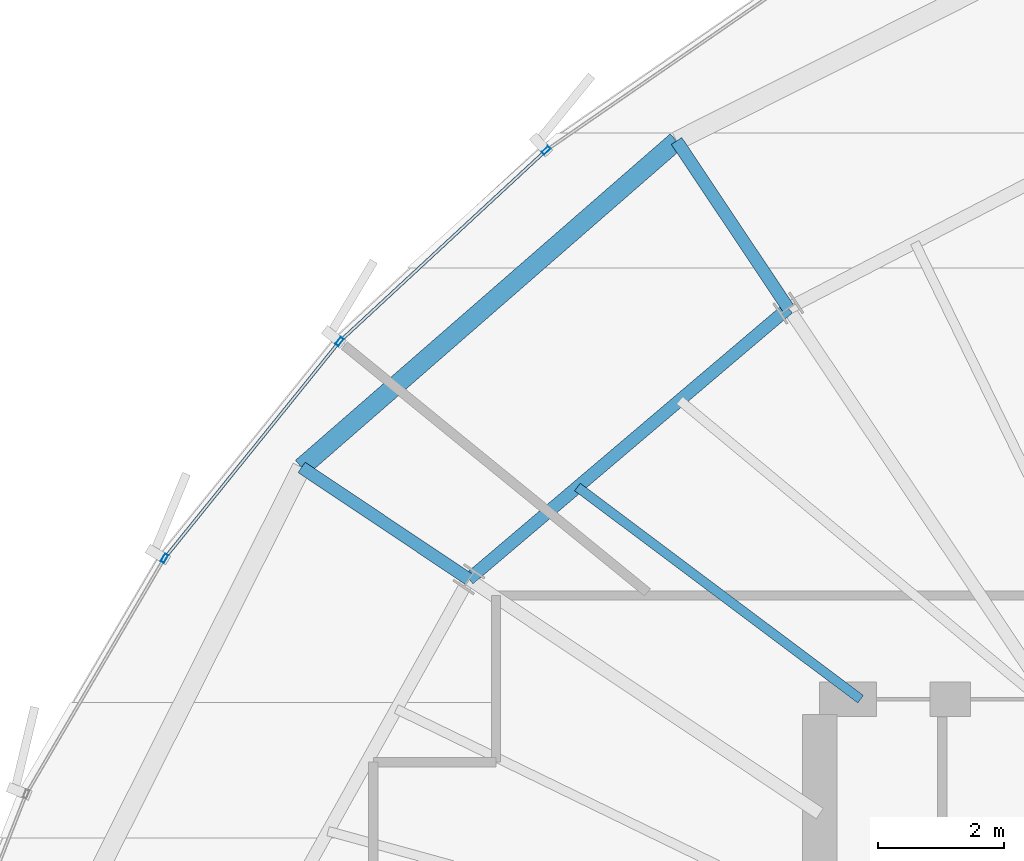
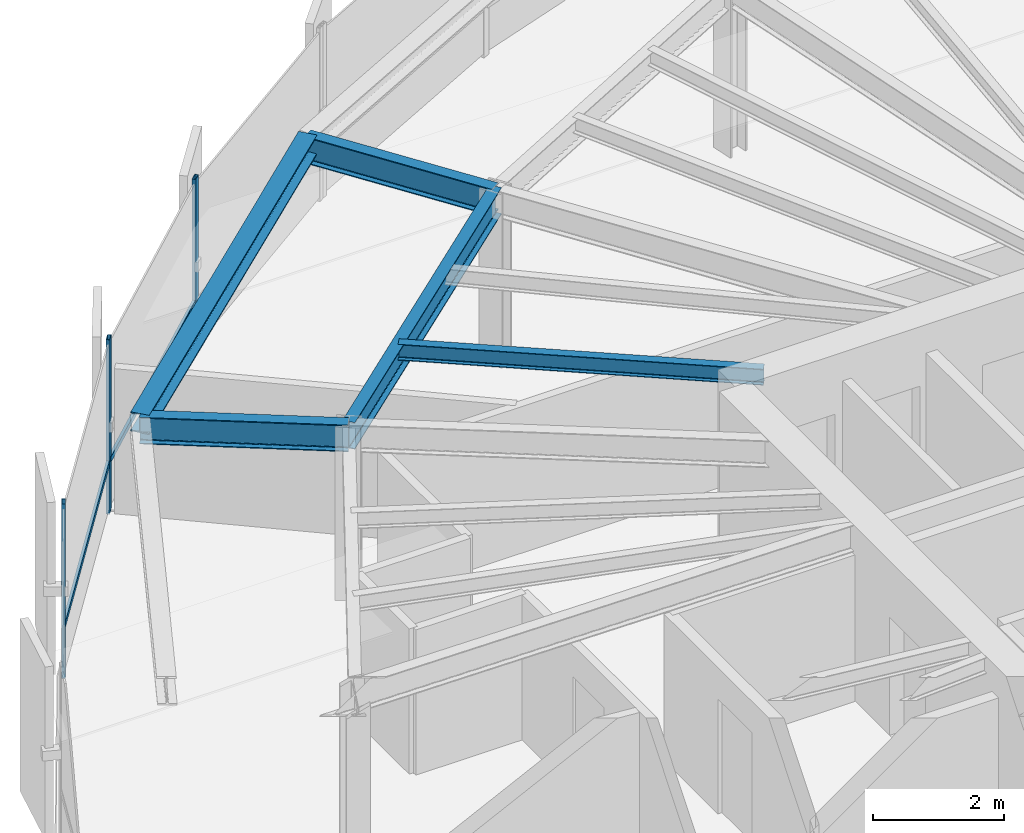
# One storey, part 20 of 34: 5 beams, 5 members, 1 element without a shape of its own.
"""IFC4 building model written with IfcOpenShell, lengths in metres."""

from ifc_helpers import new_model, si_unit, direction, frame, origin, origin_2d, place, context, subcontext, project, spatial, hollow_rectangle, i_section, extrude, source, transform, mapped, material, layer, layer_set, material_profile, profile_set, type_object, element, aggregate, save


model = new_model("IFC4")

# Units and contexts
model_context = context("Model", 3, precision=1e-05, world=origin(), true_north=direction((0.0, 1.0)))
body_context = subcontext(model_context, "Body", "Model", "MODEL_VIEW")
ifc_project = project(units=[si_unit("LENGTHUNIT", "METRE"), si_unit("AREAUNIT", "SQUARE_METRE"), si_unit("VOLUMEUNIT", "CUBIC_METRE"), si_unit("PLANEANGLEUNIT", "RADIAN"), si_unit("MASSUNIT", "GRAM", prefix="KILO"), si_unit("THERMODYNAMICTEMPERATUREUNIT", "KELVIN")], contexts=[model_context])

# Site, building, storey
site_placement = place(None, origin())
site = spatial("IfcSite", under=ifc_project, at=site_placement, CompositionType="ELEMENT")
building_placement = place(site_placement, origin())
building = spatial("IfcBuilding", under=site, at=building_placement, Name="Kethvar Cultural Tower", CompositionType="ELEMENT")
storey_placement = place(building_placement, frame((0.0, 0.0, 190.39990234375)))
storey = spatial("IfcBuildingStorey", under=building, at=storey_placement, Name="L49", CompositionType="ELEMENT", Elevation=190.39990234375)

# Beams
ifc_material_1 = material(Name="Steel S355J2", Category="steel")
ifc_material_profile_1 = material_profile(ifc_material_1, i_section(OverallWidth=0.199951171875, OverallDepth=0.5, WebThickness=0.01025390625, FlangeThickness=0.01611328125, FilletRadius=0.02099609375, at=origin_2d()), Name="Steel S355J2 — IPE500")
ifc_profile_set_1 = profile_set([ifc_material_profile_1], Name="Steel S355J2 — IPE500")
beam_type_1 = type_object("IfcBeamType", Name="BM-IPE500", PredefinedType="BEAM", material=ifc_profile_set_1)
shared_shape_1 = source(origin(), body_context, "Body", "SweptSolid", [
    extrude(i_section(OverallWidth=0.199951171875, OverallDepth=0.5, WebThickness=0.01025390625, FlangeThickness=0.01611328125, FilletRadius=0.02099609375, at=origin_2d()), origin(), (0.0, 0.0, 1.0), 3.199951171875),
])
for number, where, z_axis, x_axis, name in (
    (1, (37.498779296875, 41.720458984375, 3.008056640625), (-0.555580212716, 0.831462943996, 0.0), (-0.831462943996, -0.555580212716, 0.0), "L49 Perimeter Cantilever Beam RC-06"),
    (2, (32.418212890625, 37.409423828125, 3.008056640625), (-0.831462943996, 0.555580212716, 0.0), (-0.555580212716, -0.831462943996, 0.0), "L49 Perimeter Cantilever Beam RC-07"),
):
    element("IfcBeam", number, at=place(storey_placement, frame(where, z_axis=z_axis, x_axis=x_axis)), inside=storey, type_object=beam_type_1, Name=name, PredefinedType="BEAM", context=body_context, shape_type="MappedRepresentation", body=[
        mapped(shared_shape_1, transform((0.0, 0.0, 0.0), scale=1.0)),
    ])
shared_shape_2 = source(origin(), body_context, "Body", "SweptSolid", [
    extrude(i_section(OverallWidth=0.199951171875, OverallDepth=0.5, WebThickness=0.01025390625, FlangeThickness=0.01611328125, FilletRadius=0.02099609375, at=origin_2d()), origin(), (0.0, 0.0, 1.0), 6.6630859375),
])
beam_1_placement = place(storey_placement, frame((37.498779296875, 41.720458984375, 3.008056640625), z_axis=(-0.762490511547, -0.646999397064, 0.0), x_axis=(0.646999397064, -0.762490511547, 0.0)))
element("IfcBeam", 3, at=beam_1_placement, inside=storey, type_object=beam_type_1, Name="L49 Column Ring Tie Beam CR-06", PredefinedType="BEAM", context=body_context, shape_type="MappedRepresentation", body=[
    mapped(shared_shape_2, transform((0.0, 0.0, 0.0), scale=1.0)),
])
ifc_material_profile_2 = material_profile(ifc_material_1, i_section(OverallWidth=0.300048828125, OverallDepth=0.360107421875, WebThickness=0.012451171875, FlangeThickness=0.0224609375, FilletRadius=0.027099609375, at=origin_2d()), Name="Steel S355J2 — HEB360")
ifc_profile_set_2 = profile_set([ifc_material_profile_2], Name="Steel S355J2 — HEB360")
beam_type_2 = type_object("IfcBeamType", Name="BM-SP360", PredefinedType="SPANDREL", material=ifc_profile_set_2)
shared_shape_3 = source(origin(), body_context, "Body", "SweptSolid", [
    extrude(i_section(OverallWidth=0.300048828125, OverallDepth=0.360107421875, WebThickness=0.012451171875, FlangeThickness=0.0224609375, FilletRadius=0.027099609375, at=origin_2d()), origin(), (0.0, 0.0, 1.0), 7.908203125),
])
beam_2_placement = place(storey_placement, frame((35.720947265625, 44.381103515625, 3.078125), z_axis=(-0.754085541675, -0.656776214427, 0.0), x_axis=(0.656776214427, -0.754085541675, 0.0)))
element("IfcBeam", 4, at=beam_2_placement, inside=storey, type_object=beam_type_2, Name="L49 Perimeter Spandrel Beam SP-06", PredefinedType="SPANDREL", context=body_context, shape_type="MappedRepresentation", body=[
    mapped(shared_shape_3, transform((0.0, 0.0, 0.0), scale=1.0)),
])
ifc_material_profile_3 = material_profile(ifc_material_1, i_section(OverallWidth=0.14990234375, OverallDepth=0.300048828125, WebThickness=0.007080078125, FlangeThickness=0.0107421875, FilletRadius=0.014892578125, at=origin_2d()), Name="Steel S355J2 — IPE300")
ifc_profile_set_3 = profile_set([ifc_material_profile_3], Name="Steel S355J2 — IPE300")
beam_type_3 = type_object("IfcBeamType", Name="BM-J300", PredefinedType="JOIST", material=ifc_profile_set_3)
shared_shape_4 = source(origin(), body_context, "Body", "SweptSolid", [
    extrude(i_section(OverallWidth=0.14990234375, OverallDepth=0.300048828125, WebThickness=0.007080078125, FlangeThickness=0.0107421875, FilletRadius=0.014892578125, at=origin_2d()), origin(), (0.0, 0.0, 1.0), 5.628662109375),
])
beam_3_placement = place(storey_placement, frame((38.64990234375, 35.5, 3.108154296875), z_axis=(-0.800260171956, 0.599652947279, 0.0), x_axis=(-0.599652947279, -0.800260171956, 0.0)))
element("IfcBeam", 5, at=beam_3_placement, inside=storey, type_object=beam_type_3, Name="L49 Composite Floor Joist J-06B", PredefinedType="JOIST", context=body_context, shape_type="MappedRepresentation", body=[
    mapped(shared_shape_4, transform((0.0, 0.0, 0.0), scale=1.0)),
])

# Curtain wall, members
ifc_material_2 = material(Name="Aluminium 6063-T6", Category="aluminium")
ifc_layer = layer(ifc_material_2, 0.179931640625, Name="Aluminium 6063-T6", Category="aluminium")
ifc_layer_set = layer_set([ifc_layer], Name="Aluminium 6063-T6 (180 mm)")
curtain_wall_type = type_object("IfcCurtainWallType", Name="CW-SYS-04-Z34", PredefinedType="NOTDEFINED", material=ifc_layer_set)
curtain_wall_placement = place(storey_placement, origin())
curtain_wall = element("IfcCurtainWall", 6, at=curtain_wall_placement, inside=storey, type_object=curtain_wall_type, Name="L49 Curtain Wall Run 03", PredefinedType="NOTDEFINED")
ifc_material_profile_4 = material_profile(ifc_material_2, hollow_rectangle(XDim=0.050048828125, YDim=0.10009765625, WallThickness=0.00390625, at=origin_2d()), Name="Aluminium 6063-T6 — RHS100x50x4")
ifc_profile_set_4 = profile_set([ifc_material_profile_4], Name="Aluminium 6063-T6 — RHS100x50x4")
member_type_1 = type_object("IfcMemberType", Name="CW-SYS-04-Z34-TRN", PredefinedType="USERDEFINED", material=ifc_profile_set_4)
shared_shape_5 = source(origin(), body_context, "Body", "SweptSolid", [
    extrude(hollow_rectangle(XDim=0.050048828125, YDim=0.10009765625, WallThickness=0.00390625, at=origin_2d()), origin(), (0.0, 0.0, 1.0), 4.36279296875),
])
member_1_placement = place(storey_placement, frame((30.333251953125, 41.15625, 0.9501953125), z_axis=(-0.628162544966, -0.778082140331, 0.0), x_axis=(0.778082140331, -0.628162544966, 0.0)))
member_1 = element("IfcMember", 7, at=member_1_placement, type_object=member_type_1, Name="CW-L49-R03 Transom 3", ObjectType="TRANSOM", PredefinedType="USERDEFINED", context=body_context, shape_type="MappedRepresentation", body=[
    mapped(shared_shape_5, transform((0.0, 0.0, 0.0), scale=1.0)),
])
ifc_material_profile_5 = material_profile(ifc_material_2, hollow_rectangle(XDim=0.06005859375, YDim=0.139892578125, WallThickness=0.0048828125, at=origin_2d()), Name="Aluminium 6063-T6 — RHS140x60x5")
ifc_profile_set_5 = profile_set([ifc_material_profile_5], Name="Aluminium 6063-T6 — RHS140x60x5")
member_type_2 = type_object("IfcMemberType", Name="CW-SYS-04-Z34-MUL", PredefinedType="MULLION", material=ifc_profile_set_5)
shared_shape_6 = source(origin(), body_context, "Body", "SweptSolid", [
    extrude(hollow_rectangle(XDim=0.06005859375, YDim=0.139892578125, WallThickness=0.0048828125, at=origin_2d()), origin(), (0.0, 0.0, 1.0), 3.260009765625),
])
member_2_placement = place(storey_placement, frame((33.64599609375, 44.231201171875, 0.0), z_axis=(0.0, 0.0, 1.0), x_axis=(0.679466915851, -0.73370614708, 0.0)))
member_2 = element("IfcMember", 8, at=member_2_placement, type_object=member_type_2, Name="CW-L49-R03 Mullion 2", PredefinedType="MULLION", context=body_context, shape_type="MappedRepresentation", body=[
    mapped(shared_shape_6, transform((0.0, 0.0, 0.0), scale=1.0)),
])
member_3_placement = place(storey_placement, frame((30.3603515625, 41.18994140625, 0.0), z_axis=(0.0, 0.0, 1.0), x_axis=(0.778111611183, -0.628126038739, 0.0)))
member_3 = element("IfcMember", 9, at=member_3_placement, type_object=member_type_2, Name="CW-L49-R03 Mullion 3", PredefinedType="MULLION", context=body_context, shape_type="MappedRepresentation", body=[
    mapped(shared_shape_6, transform((0.0, 0.0, 0.0), scale=1.0)),
])
member_4_placement = place(storey_placement, frame((27.574951171875, 37.741455078125, 0.0), z_axis=(0.0, 0.0, 1.0), x_axis=(0.862699082331, -0.505717602368, 0.0)))
member_4 = element("IfcMember", 10, at=member_4_placement, type_object=member_type_2, Name="CW-L49-R03 Mullion 4", PredefinedType="MULLION", context=body_context, shape_type="MappedRepresentation", body=[
    mapped(shared_shape_6, transform((0.0, 0.0, 0.0), scale=1.0)),
])
shared_shape_7 = source(origin(), body_context, "Body", "SweptSolid", [
    extrude(hollow_rectangle(XDim=0.050048828125, YDim=0.10009765625, WallThickness=0.00390625, at=origin_2d()), origin(), (0.0, 0.0, 1.0), 4.406982421875),
])
member_5_placement = place(storey_placement, frame((33.614501953125, 44.201904296875, 0.9501953125), z_axis=(-0.733704413282, -0.679468788048, 0.0), x_axis=(0.679468788048, -0.733704413282, 0.0)))
member_5 = element("IfcMember", 11, at=member_5_placement, type_object=member_type_1, Name="CW-L49-R03 Transom 2", ObjectType="TRANSOM", PredefinedType="USERDEFINED", context=body_context, shape_type="MappedRepresentation", body=[
    mapped(shared_shape_7, transform((0.0, 0.0, 0.0), scale=1.0)),
])
aggregate(curtain_wall, [member_2, member_3, member_4, member_5, member_1])

save(model, "model.ifc")
